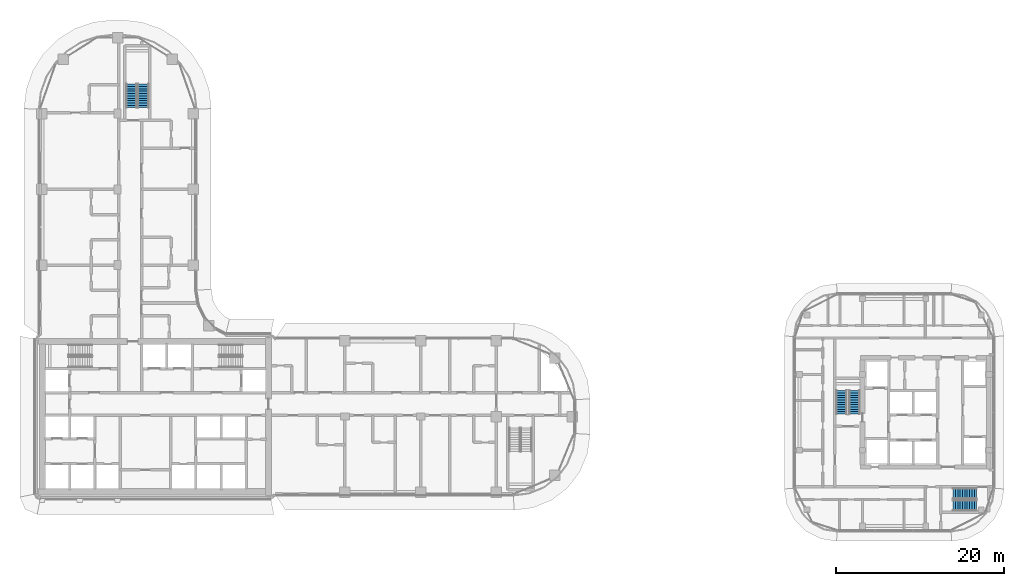
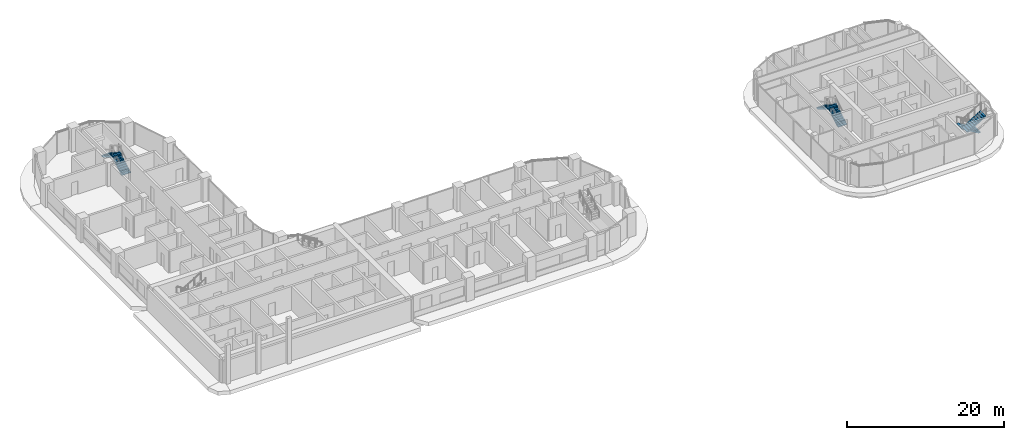
# One storey, part 24 of 33: 6 stair flights, 3 elements without a shape of their own.
"""IFC4 building model written with IfcOpenShell, lengths in metres."""

from ifc_helpers import new_model, si_unit, direction, frame, origin, place, context, subcontext, project, spatial, triangles, source, transform, mapped, material, type_object, element, aggregate, save


model = new_model("IFC4")

# Units and contexts
model_context = context("Model", 3, precision=1e-05, world=origin(), true_north=direction((0.0, 1.0)))
body_context = subcontext(model_context, "Body", "Model", "MODEL_VIEW")
ifc_project = project(units=[si_unit("LENGTHUNIT", "METRE"), si_unit("AREAUNIT", "SQUARE_METRE"), si_unit("VOLUMEUNIT", "CUBIC_METRE"), si_unit("PLANEANGLEUNIT", "RADIAN"), si_unit("MASSUNIT", "GRAM", prefix="KILO")], contexts=[model_context])

# Site, building, storey
site_placement = place(None, origin())
site = spatial("IfcSite", under=ifc_project, at=site_placement, CompositionType="ELEMENT")
building_placement = place(site_placement, origin())
building = spatial("IfcBuilding", under=site, at=building_placement, Name="Ogive Portal Towers", CompositionType="ELEMENT")
storey_placement = place(building_placement, frame((0.0, 0.0, 98.199951171875)))
storey = spatial("IfcBuildingStorey", under=building, at=storey_placement, Name="L23", CompositionType="ELEMENT", Elevation=98.199951171875)

# Stair, stair flights
ifc_material = material(Name="Concrete C40/50", Category="concrete")
stair_type = type_object("IfcStairType", Name="INT-STAIR", PredefinedType="HALF_TURN_STAIR", material=ifc_material)
stair_1_placement = place(storey_placement, origin())
stair_1 = element("IfcStair", 1, at=stair_1_placement, inside=storey, type_object=stair_type, Name="L23 Exit Stair ST-A3", PredefinedType="HALF_TURN_STAIR")
stair_flight_type = type_object("IfcStairFlightType", Name="INT-FLIGHT", PredefinedType="STRAIGHT", material=ifc_material)
shared_shape = source(origin(), body_context, "Body", "Tessellation", [
    triangles([(0.0, -0.650146484375, 0.0), (0.0, -0.376220703125, 0.0), (0.0, -0.192626953125, 0.0), (0.0, -0.081298828125, 0.0), (0.0, -0.024169921875, 0.0), (0.0, -0.003173828125, 0.0), (0.0, 0.0, 0.0), (0.0, 0.0029296875, 0.0), (0.0, 0.02392578125, 0.0), (0.0, 0.0810546875, 0.0), (0.0, 0.1923828125, 0.0), (0.0, 0.3759765625, 0.0), (0.0, 0.64990234375, 0.0), (0.0, -0.650146484375, 0.168212890625), (0.0, -0.376220703125, 0.168212890625), (0.0, -0.192626953125, 0.168212890625), (0.0, -0.081298828125, 0.168212890625), (0.0, -0.024169921875, 0.168212890625), (0.0, -0.003173828125, 0.168212890625), (0.0, 0.0, 0.168212890625), (0.0, 0.0029296875, 0.168212890625), (0.0, 0.02392578125, 0.168212890625), (0.0, 0.0810546875, 0.168212890625), (0.0, 0.1923828125, 0.168212890625), (0.0, 0.3759765625, 0.168212890625), (0.0, 0.64990234375, 0.168212890625), (0.280029296875, -0.650146484375, 0.168212890625), (0.280029296875, -0.376220703125, 0.168212890625), (0.280029296875, -0.192626953125, 0.168212890625), (0.280029296875, -0.081298828125, 0.168212890625), (0.280029296875, -0.024169921875, 0.168212890625), (0.280029296875, -0.003173828125, 0.168212890625), (0.280029296875, 0.0, 0.168212890625), (0.280029296875, 0.0029296875, 0.168212890625), (0.280029296875, 0.02392578125, 0.168212890625), (0.280029296875, 0.0810546875, 0.168212890625), (0.280029296875, 0.1923828125, 0.168212890625), (0.280029296875, 0.3759765625, 0.168212890625), (0.280029296875, 0.64990234375, 0.168212890625), (0.280029296875, -0.650146484375, 0.33642578125), (0.280029296875, -0.376220703125, 0.33642578125), (0.280029296875, -0.192626953125, 0.33642578125), (0.280029296875, -0.081298828125, 0.33642578125), (0.280029296875, -0.024169921875, 0.33642578125), (0.280029296875, -0.003173828125, 0.33642578125), (0.280029296875, 0.0, 0.33642578125), (0.280029296875, 0.0029296875, 0.33642578125), (0.280029296875, 0.02392578125, 0.33642578125), (0.280029296875, 0.0810546875, 0.33642578125), (0.280029296875, 0.1923828125, 0.33642578125), (0.280029296875, 0.3759765625, 0.33642578125), (0.280029296875, 0.64990234375, 0.33642578125), (0.56005859375, -0.650146484375, 0.33642578125), (0.56005859375, -0.376220703125, 0.33642578125), (0.56005859375, -0.192626953125, 0.33642578125), (0.56005859375, -0.081298828125, 0.33642578125), (0.56005859375, -0.024169921875, 0.33642578125), (0.56005859375, -0.003173828125, 0.33642578125), (0.56005859375, 0.0, 0.33642578125), (0.56005859375, 0.0029296875, 0.33642578125), (0.56005859375, 0.02392578125, 0.33642578125), (0.56005859375, 0.0810546875, 0.33642578125), (0.56005859375, 0.1923828125, 0.33642578125), (0.56005859375, 0.3759765625, 0.33642578125), (0.56005859375, 0.64990234375, 0.33642578125), (0.56005859375, -0.650146484375, 0.504638671875), (0.56005859375, -0.376220703125, 0.504638671875), (0.56005859375, -0.192626953125, 0.504638671875), (0.56005859375, -0.081298828125, 0.504638671875), (0.56005859375, -0.024169921875, 0.504638671875), (0.56005859375, -0.003173828125, 0.504638671875), (0.56005859375, 0.0, 0.504638671875), (0.56005859375, 0.0029296875, 0.504638671875), (0.56005859375, 0.02392578125, 0.504638671875), (0.56005859375, 0.0810546875, 0.504638671875), (0.56005859375, 0.1923828125, 0.504638671875), (0.56005859375, 0.3759765625, 0.504638671875), (0.56005859375, 0.64990234375, 0.504638671875), (0.840087890625, -0.650146484375, 0.504638671875), (0.840087890625, -0.376220703125, 0.504638671875), (0.840087890625, -0.192626953125, 0.504638671875), (0.840087890625, -0.081298828125, 0.504638671875), (0.840087890625, -0.024169921875, 0.504638671875), (0.840087890625, -0.003173828125, 0.504638671875), (0.840087890625, 0.0, 0.504638671875), (0.840087890625, 0.0029296875, 0.504638671875), (0.840087890625, 0.02392578125, 0.504638671875), (0.840087890625, 0.0810546875, 0.504638671875), (0.840087890625, 0.1923828125, 0.504638671875), (0.840087890625, 0.3759765625, 0.504638671875), (0.840087890625, 0.64990234375, 0.504638671875), (0.840087890625, -0.650146484375, 0.672607421875), (0.840087890625, -0.376220703125, 0.672607421875), (0.840087890625, -0.192626953125, 0.672607421875), (0.840087890625, -0.081298828125, 0.672607421875), (0.840087890625, -0.024169921875, 0.672607421875), (0.840087890625, -0.003173828125, 0.672607421875), (0.840087890625, 0.0, 0.672607421875), (0.840087890625, 0.0029296875, 0.672607421875), (0.840087890625, 0.02392578125, 0.672607421875), (0.840087890625, 0.0810546875, 0.672607421875), (0.840087890625, 0.1923828125, 0.672607421875), (0.840087890625, 0.3759765625, 0.672607421875), (0.840087890625, 0.64990234375, 0.672607421875), (1.1201171875, -0.650146484375, 0.672607421875), (1.1201171875, -0.376220703125, 0.672607421875), (1.1201171875, -0.192626953125, 0.672607421875), (1.1201171875, -0.081298828125, 0.672607421875), (1.1201171875, -0.024169921875, 0.672607421875), (1.1201171875, -0.003173828125, 0.672607421875), (1.1201171875, 0.0, 0.672607421875), (1.1201171875, 0.0029296875, 0.672607421875), (1.1201171875, 0.02392578125, 0.672607421875), (1.1201171875, 0.0810546875, 0.672607421875), (1.1201171875, 0.1923828125, 0.672607421875), (1.1201171875, 0.3759765625, 0.672607421875), (1.1201171875, 0.64990234375, 0.672607421875), (1.1201171875, -0.650146484375, 0.8408203125), (1.1201171875, -0.376220703125, 0.8408203125), (1.1201171875, -0.192626953125, 0.8408203125), (1.1201171875, -0.081298828125, 0.8408203125), (1.1201171875, -0.024169921875, 0.8408203125), (1.1201171875, -0.003173828125, 0.8408203125), (1.1201171875, 0.0, 0.8408203125), (1.1201171875, 0.0029296875, 0.8408203125), (1.1201171875, 0.02392578125, 0.8408203125), (1.1201171875, 0.0810546875, 0.8408203125), (1.1201171875, 0.1923828125, 0.8408203125), (1.1201171875, 0.3759765625, 0.8408203125), (1.1201171875, 0.64990234375, 0.8408203125), (1.39990234375, -0.650146484375, 0.8408203125), (1.39990234375, -0.376220703125, 0.8408203125), (1.39990234375, -0.192626953125, 0.8408203125), (1.39990234375, -0.081298828125, 0.8408203125), (1.39990234375, -0.024169921875, 0.8408203125), (1.39990234375, -0.003173828125, 0.8408203125), (1.39990234375, 0.0, 0.8408203125), (1.39990234375, 0.0029296875, 0.8408203125), (1.39990234375, 0.02392578125, 0.8408203125), (1.39990234375, 0.0810546875, 0.8408203125), (1.39990234375, 0.1923828125, 0.8408203125), (1.39990234375, 0.3759765625, 0.8408203125), (1.39990234375, 0.64990234375, 0.8408203125), (1.39990234375, -0.650146484375, 1.009033203125), (1.39990234375, -0.376220703125, 1.009033203125), (1.39990234375, -0.192626953125, 1.009033203125), (1.39990234375, -0.081298828125, 1.009033203125), (1.39990234375, -0.024169921875, 1.009033203125), (1.39990234375, -0.003173828125, 1.009033203125), (1.39990234375, 0.0, 1.009033203125), (1.39990234375, 0.0029296875, 1.009033203125), (1.39990234375, 0.02392578125, 1.009033203125), (1.39990234375, 0.0810546875, 1.009033203125), (1.39990234375, 0.1923828125, 1.009033203125), (1.39990234375, 0.3759765625, 1.009033203125), (1.39990234375, 0.64990234375, 1.009033203125), (1.679931640625, -0.650146484375, 1.009033203125), (1.679931640625, -0.376220703125, 1.009033203125), (1.679931640625, -0.192626953125, 1.009033203125), (1.679931640625, -0.081298828125, 1.009033203125), (1.679931640625, -0.024169921875, 1.009033203125), (1.679931640625, -0.003173828125, 1.009033203125), (1.679931640625, 0.0, 1.009033203125), (1.679931640625, 0.0029296875, 1.009033203125), (1.679931640625, 0.02392578125, 1.009033203125), (1.679931640625, 0.0810546875, 1.009033203125), (1.679931640625, 0.1923828125, 1.009033203125), (1.679931640625, 0.3759765625, 1.009033203125), (1.679931640625, 0.64990234375, 1.009033203125), (1.679931640625, -0.650146484375, 1.17724609375), (1.679931640625, -0.376220703125, 1.17724609375), (1.679931640625, -0.192626953125, 1.17724609375), (1.679931640625, -0.081298828125, 1.17724609375), (1.679931640625, -0.024169921875, 1.17724609375), (1.679931640625, -0.003173828125, 1.17724609375), (1.679931640625, 0.0, 1.17724609375), (1.679931640625, 0.0029296875, 1.17724609375), (1.679931640625, 0.02392578125, 1.17724609375), (1.679931640625, 0.0810546875, 1.17724609375), (1.679931640625, 0.1923828125, 1.17724609375), (1.679931640625, 0.3759765625, 1.17724609375), (1.679931640625, 0.64990234375, 1.17724609375), (1.9599609375, -0.650146484375, 1.17724609375), (1.9599609375, -0.376220703125, 1.17724609375), (1.9599609375, -0.192626953125, 1.17724609375), (1.9599609375, -0.081298828125, 1.17724609375), (1.9599609375, -0.024169921875, 1.17724609375), (1.9599609375, -0.003173828125, 1.17724609375), (1.9599609375, 0.0, 1.17724609375), (1.9599609375, 0.0029296875, 1.17724609375), (1.9599609375, 0.02392578125, 1.17724609375), (1.9599609375, 0.0810546875, 1.17724609375), (1.9599609375, 0.1923828125, 1.17724609375), (1.9599609375, 0.3759765625, 1.17724609375), (1.9599609375, 0.64990234375, 1.17724609375), (1.9599609375, -0.650146484375, 1.345458984375), (1.9599609375, -0.376220703125, 1.345458984375), (1.9599609375, -0.192626953125, 1.345458984375), (1.9599609375, -0.081298828125, 1.345458984375), (1.9599609375, -0.024169921875, 1.345458984375), (1.9599609375, -0.003173828125, 1.345458984375), (1.9599609375, 0.0, 1.345458984375), (1.9599609375, 0.0029296875, 1.345458984375), (1.9599609375, 0.02392578125, 1.345458984375), (1.9599609375, 0.0810546875, 1.345458984375), (1.9599609375, 0.1923828125, 1.345458984375), (1.9599609375, 0.3759765625, 1.345458984375), (1.9599609375, 0.64990234375, 1.345458984375), (2.239990234375, -0.650146484375, 1.345458984375), (2.239990234375, -0.376220703125, 1.345458984375), (2.239990234375, -0.192626953125, 1.345458984375), (2.239990234375, -0.081298828125, 1.345458984375), (2.239990234375, -0.024169921875, 1.345458984375), (2.239990234375, -0.003173828125, 1.345458984375), (2.239990234375, 0.0, 1.345458984375), (2.239990234375, 0.0029296875, 1.345458984375), (2.239990234375, 0.02392578125, 1.345458984375), (2.239990234375, 0.0810546875, 1.345458984375), (2.239990234375, 0.1923828125, 1.345458984375), (2.239990234375, 0.3759765625, 1.345458984375), (2.239990234375, 0.64990234375, 1.345458984375), (2.239990234375, -0.650146484375, 1.513671875), (2.239990234375, -0.376220703125, 1.513671875), (2.239990234375, -0.192626953125, 1.513671875), (2.239990234375, -0.081298828125, 1.513671875), (2.239990234375, -0.024169921875, 1.513671875), (2.239990234375, -0.003173828125, 1.513671875), (2.239990234375, 0.0, 1.513671875), (2.239990234375, 0.0029296875, 1.513671875), (2.239990234375, 0.02392578125, 1.513671875), (2.239990234375, 0.0810546875, 1.513671875), (2.239990234375, 0.1923828125, 1.513671875), (2.239990234375, 0.3759765625, 1.513671875), (2.239990234375, 0.64990234375, 1.513671875), (2.52001953125, -0.650146484375, 1.513671875), (2.52001953125, -0.376220703125, 1.513671875), (2.52001953125, -0.192626953125, 1.513671875), (2.52001953125, -0.081298828125, 1.513671875), (2.52001953125, -0.024169921875, 1.513671875), (2.52001953125, -0.003173828125, 1.513671875), (2.52001953125, 0.0, 1.513671875), (2.52001953125, 0.0029296875, 1.513671875), (2.52001953125, 0.02392578125, 1.513671875), (2.52001953125, 0.0810546875, 1.513671875), (2.52001953125, 0.1923828125, 1.513671875), (2.52001953125, 0.3759765625, 1.513671875), (2.52001953125, 0.64990234375, 1.513671875), (2.52001953125, -0.650146484375, 1.681884765625), (2.52001953125, -0.376220703125, 1.681884765625), (2.52001953125, -0.192626953125, 1.681884765625), (2.52001953125, -0.081298828125, 1.681884765625), (2.52001953125, -0.024169921875, 1.681884765625), (2.52001953125, -0.003173828125, 1.681884765625), (2.52001953125, 0.0, 1.681884765625), (2.52001953125, 0.0029296875, 1.681884765625), (2.52001953125, 0.02392578125, 1.681884765625), (2.52001953125, 0.0810546875, 1.681884765625), (2.52001953125, 0.1923828125, 1.681884765625), (2.52001953125, 0.3759765625, 1.681884765625), (2.52001953125, 0.64990234375, 1.681884765625), (2.800048828125, -0.650146484375, 1.681884765625), (2.800048828125, -0.376220703125, 1.681884765625), (2.800048828125, -0.192626953125, 1.681884765625), (2.800048828125, -0.081298828125, 1.681884765625), (2.800048828125, -0.024169921875, 1.681884765625), (2.800048828125, -0.003173828125, 1.681884765625), (2.800048828125, 0.0, 1.681884765625), (2.800048828125, 0.0029296875, 1.681884765625), (2.800048828125, 0.02392578125, 1.681884765625), (2.800048828125, 0.0810546875, 1.681884765625), (2.800048828125, 0.1923828125, 1.681884765625), (2.800048828125, 0.3759765625, 1.681884765625), (2.800048828125, 0.64990234375, 1.681884765625), (2.800048828125, -0.650146484375, 1.5068359375), (2.800048828125, -0.376220703125, 1.5068359375), (2.800048828125, -0.192626953125, 1.5068359375), (2.800048828125, -0.081298828125, 1.5068359375), (2.800048828125, -0.024169921875, 1.5068359375), (2.800048828125, -0.003173828125, 1.5068359375), (2.800048828125, 0.0, 1.5068359375), (2.800048828125, 0.0029296875, 1.5068359375), (2.800048828125, 0.02392578125, 1.5068359375), (2.800048828125, 0.0810546875, 1.5068359375), (2.800048828125, 0.1923828125, 1.5068359375), (2.800048828125, 0.3759765625, 1.5068359375), (2.800048828125, 0.64990234375, 1.5068359375), (0.291015625, -0.650146484375, 0.0), (0.291015625, -0.376220703125, 0.0), (0.291015625, -0.192626953125, 0.0), (0.291015625, -0.081298828125, 0.0), (0.291015625, -0.024169921875, 0.0), (0.291015625, -0.003173828125, 0.0), (0.291015625, 0.0, 0.0), (0.291015625, 0.0029296875, 0.0), (0.291015625, 0.02392578125, 0.0), (0.291015625, 0.0810546875, 0.0), (0.291015625, 0.1923828125, 0.0), (0.291015625, 0.3759765625, 0.0), (0.291015625, 0.64990234375, 0.0)], [[1, 14, 15], [1, 15, 2], [2, 15, 16], [2, 16, 3], [3, 16, 17], [3, 17, 4], [4, 17, 18], [4, 18, 5], [5, 18, 19], [5, 19, 6], [6, 19, 20], [6, 20, 7], [7, 20, 21], [7, 21, 8], [8, 21, 22], [8, 22, 9], [9, 22, 23], [9, 23, 10], [10, 23, 24], [10, 24, 11], [11, 24, 25], [11, 25, 12], [12, 25, 26], [12, 26, 13], [14, 27, 28], [14, 28, 15], [15, 28, 29], [15, 29, 16], [16, 29, 30], [16, 30, 17], [17, 30, 31], [17, 31, 18], [18, 31, 32], [18, 32, 19], [19, 32, 33], [19, 33, 20], [20, 33, 34], [20, 34, 21], [21, 34, 35], [21, 35, 22], [22, 35, 36], [22, 36, 23], [23, 36, 37], [23, 37, 24], [24, 37, 38], [24, 38, 25], [25, 38, 39], [25, 39, 26], [27, 40, 41], [27, 41, 28], [28, 41, 42], [28, 42, 29], [29, 42, 43], [29, 43, 30], [30, 43, 44], [30, 44, 31], [31, 44, 45], [31, 45, 32], [32, 45, 46], [32, 46, 33], [33, 46, 47], [33, 47, 34], [34, 47, 48], [34, 48, 35], [35, 48, 49], [35, 49, 36], [36, 49, 50], [36, 50, 37], [37, 50, 51], [37, 51, 38], [38, 51, 52], [38, 52, 39], [40, 53, 54], [40, 54, 41], [41, 54, 55], [41, 55, 42], [42, 55, 56], [42, 56, 43], [43, 56, 57], [43, 57, 44], [44, 57, 58], [44, 58, 45], [45, 58, 59], [45, 59, 46], [46, 59, 60], [46, 60, 47], [47, 60, 61], [47, 61, 48], [48, 61, 62], [48, 62, 49], [49, 62, 63], [49, 63, 50], [50, 63, 64], [50, 64, 51], [51, 64, 65], [51, 65, 52], [53, 66, 67], [53, 67, 54], [54, 67, 68], [54, 68, 55], [55, 68, 69], [55, 69, 56], [56, 69, 70], [56, 70, 57], [57, 70, 71], [57, 71, 58], [58, 71, 72], [58, 72, 59], [59, 72, 73], [59, 73, 60], [60, 73, 74], [60, 74, 61], [61, 74, 75], [61, 75, 62], [62, 75, 76], [62, 76, 63], [63, 76, 77], [63, 77, 64], [64, 77, 78], [64, 78, 65], [66, 79, 80], [66, 80, 67], [67, 80, 81], [67, 81, 68], [68, 81, 82], [68, 82, 69], [69, 82, 83], [69, 83, 70], [70, 83, 84], [70, 84, 71], [71, 84, 85], [71, 85, 72], [72, 85, 86], [72, 86, 73], [73, 86, 87], [73, 87, 74], [74, 87, 88], [74, 88, 75], [75, 88, 89], [75, 89, 76], [76, 89, 90], [76, 90, 77], [77, 90, 91], [77, 91, 78], [79, 92, 93], [79, 93, 80], [80, 93, 94], [80, 94, 81], [81, 94, 95], [81, 95, 82], [82, 95, 96], [82, 96, 83], [83, 96, 97], [83, 97, 84], [84, 97, 98], [84, 98, 85], [85, 98, 99], [85, 99, 86], [86, 99, 100], [86, 100, 87], [87, 100, 101], [87, 101, 88], [88, 101, 102], [88, 102, 89], [89, 102, 103], [89, 103, 90], [90, 103, 104], [90, 104, 91], [92, 105, 106], [92, 106, 93], [93, 106, 107], [93, 107, 94], [94, 107, 108], [94, 108, 95], [95, 108, 109], [95, 109, 96], [96, 109, 110], [96, 110, 97], [97, 110, 111], [97, 111, 98], [98, 111, 112], [98, 112, 99], [99, 112, 113], [99, 113, 100], [100, 113, 114], [100, 114, 101], [101, 114, 115], [101, 115, 102], [102, 115, 116], [102, 116, 103], [103, 116, 117], [103, 117, 104], [105, 118, 119], [105, 119, 106], [106, 119, 120], [106, 120, 107], [107, 120, 121], [107, 121, 108], [108, 121, 122], [108, 122, 109], [109, 122, 123], [109, 123, 110], [110, 123, 124], [110, 124, 111], [111, 124, 125], [111, 125, 112], [112, 125, 126], [112, 126, 113], [113, 126, 127], [113, 127, 114], [114, 127, 128], [114, 128, 115], [115, 128, 129], [115, 129, 116], [116, 129, 130], [116, 130, 117], [118, 131, 132], [118, 132, 119], [119, 132, 133], [119, 133, 120], [120, 133, 134], [120, 134, 121], [121, 134, 135], [121, 135, 122], [122, 135, 136], [122, 136, 123], [123, 136, 137], [123, 137, 124], [124, 137, 138], [124, 138, 125], [125, 138, 139], [125, 139, 126], [126, 139, 140], [126, 140, 127], [127, 140, 141], [127, 141, 128], [128, 141, 142], [128, 142, 129], [129, 142, 143], [129, 143, 130], [131, 144, 145], [131, 145, 132], [132, 145, 146], [132, 146, 133], [133, 146, 147], [133, 147, 134], [134, 147, 148], [134, 148, 135], [135, 148, 149], [135, 149, 136], [136, 149, 150], [136, 150, 137], [137, 150, 151], [137, 151, 138], [138, 151, 152], [138, 152, 139], [139, 152, 153], [139, 153, 140], [140, 153, 154], [140, 154, 141], [141, 154, 155], [141, 155, 142], [142, 155, 156], [142, 156, 143], [144, 157, 158], [144, 158, 145], [145, 158, 159], [145, 159, 146], [146, 159, 160], [146, 160, 147], [147, 160, 161], [147, 161, 148], [148, 161, 162], [148, 162, 149], [149, 162, 163], [149, 163, 150], [150, 163, 164], [150, 164, 151], [151, 164, 165], [151, 165, 152], [152, 165, 166], [152, 166, 153], [153, 166, 167], [153, 167, 154], [154, 167, 168], [154, 168, 155], [155, 168, 169], [155, 169, 156], [157, 170, 171], [157, 171, 158], [158, 171, 172], [158, 172, 159], [159, 172, 173], [159, 173, 160], [160, 173, 174], [160, 174, 161], [161, 174, 175], [161, 175, 162], [162, 175, 176], [162, 176, 163], [163, 176, 177], [163, 177, 164], [164, 177, 178], [164, 178, 165], [165, 178, 179], [165, 179, 166], [166, 179, 180], [166, 180, 167], [167, 180, 181], [167, 181, 168], [168, 181, 182], [168, 182, 169], [170, 183, 184], [170, 184, 171], [171, 184, 185], [171, 185, 172], [172, 185, 186], [172, 186, 173], [173, 186, 187], [173, 187, 174], [174, 187, 188], [174, 188, 175], [175, 188, 189], [175, 189, 176], [176, 189, 190], [176, 190, 177], [177, 190, 191], [177, 191, 178], [178, 191, 192], [178, 192, 179], [179, 192, 193], [179, 193, 180], [180, 193, 194], [180, 194, 181], [181, 194, 195], [181, 195, 182], [183, 196, 197], [183, 197, 184], [184, 197, 198], [184, 198, 185], [185, 198, 199], [185, 199, 186], [186, 199, 200], [186, 200, 187], [187, 200, 201], [187, 201, 188], [188, 201, 202], [188, 202, 189], [189, 202, 203], [189, 203, 190], [190, 203, 204], [190, 204, 191], [191, 204, 205], [191, 205, 192], [192, 205, 206], [192, 206, 193], [193, 206, 207], [193, 207, 194], [194, 207, 208], [194, 208, 195], [196, 209, 210], [196, 210, 197], [197, 210, 211], [197, 211, 198], [198, 211, 212], [198, 212, 199], [199, 212, 213], [199, 213, 200], [200, 213, 214], [200, 214, 201], [201, 214, 215], [201, 215, 202], [202, 215, 216], [202, 216, 203], [203, 216, 217], [203, 217, 204], [204, 217, 218], [204, 218, 205], [205, 218, 219], [205, 219, 206], [206, 219, 220], [206, 220, 207], [207, 220, 221], [207, 221, 208], [209, 222, 223], [209, 223, 210], [210, 223, 224], [210, 224, 211], [211, 224, 225], [211, 225, 212], [212, 225, 226], [212, 226, 213], [213, 226, 227], [213, 227, 214], [214, 227, 228], [214, 228, 215], [215, 228, 229], [215, 229, 216], [216, 229, 230], [216, 230, 217], [217, 230, 231], [217, 231, 218], [218, 231, 232], [218, 232, 219], [219, 232, 233], [219, 233, 220], [220, 233, 234], [220, 234, 221], [222, 235, 236], [222, 236, 223], [223, 236, 237], [223, 237, 224], [224, 237, 238], [224, 238, 225], [225, 238, 239], [225, 239, 226], [226, 239, 240], [226, 240, 227], [227, 240, 241], [227, 241, 228], [228, 241, 242], [228, 242, 229], [229, 242, 243], [229, 243, 230], [230, 243, 244], [230, 244, 231], [231, 244, 245], [231, 245, 232], [232, 245, 246], [232, 246, 233], [233, 246, 247], [233, 247, 234], [235, 248, 249], [235, 249, 236], [236, 249, 250], [236, 250, 237], [237, 250, 251], [237, 251, 238], [238, 251, 252], [238, 252, 239], [239, 252, 253], [239, 253, 240], [240, 253, 254], [240, 254, 241], [241, 254, 255], [241, 255, 242], [242, 255, 256], [242, 256, 243], [243, 256, 257], [243, 257, 244], [244, 257, 258], [244, 258, 245], [245, 258, 259], [245, 259, 246], [246, 259, 260], [246, 260, 247], [248, 261, 262], [248, 262, 249], [249, 262, 263], [249, 263, 250], [250, 263, 264], [250, 264, 251], [251, 264, 265], [251, 265, 252], [252, 265, 266], [252, 266, 253], [253, 266, 267], [253, 267, 254], [254, 267, 268], [254, 268, 255], [255, 268, 269], [255, 269, 256], [256, 269, 270], [256, 270, 257], [257, 270, 271], [257, 271, 258], [258, 271, 272], [258, 272, 259], [259, 272, 273], [259, 273, 260], [261, 274, 275], [261, 275, 262], [262, 275, 276], [262, 276, 263], [263, 276, 277], [263, 277, 264], [264, 277, 278], [264, 278, 265], [265, 278, 279], [265, 279, 266], [266, 279, 280], [266, 280, 267], [267, 280, 281], [267, 281, 268], [268, 281, 282], [268, 282, 269], [269, 282, 283], [269, 283, 270], [270, 283, 284], [270, 284, 271], [271, 284, 285], [271, 285, 272], [272, 285, 286], [272, 286, 273], [274, 287, 288], [274, 288, 275], [275, 288, 289], [275, 289, 276], [276, 289, 290], [276, 290, 277], [277, 290, 291], [277, 291, 278], [278, 291, 292], [278, 292, 279], [279, 292, 293], [279, 293, 280], [280, 293, 294], [280, 294, 281], [281, 294, 295], [281, 295, 282], [282, 295, 296], [282, 296, 283], [283, 296, 297], [283, 297, 284], [284, 297, 298], [284, 298, 285], [285, 298, 299], [285, 299, 286], [287, 1, 2], [287, 2, 288], [288, 2, 3], [288, 3, 289], [289, 3, 4], [289, 4, 290], [290, 4, 5], [290, 5, 291], [291, 5, 6], [291, 6, 292], [292, 6, 7], [292, 7, 293], [293, 7, 8], [293, 8, 294], [294, 8, 9], [294, 9, 295], [295, 9, 10], [295, 10, 296], [296, 10, 11], [296, 11, 297], [297, 11, 12], [297, 12, 298], [298, 12, 13], [298, 13, 299], [1, 287, 274], [13, 286, 299], [274, 261, 248], [286, 260, 273], [274, 248, 235], [286, 247, 260], [274, 235, 222], [286, 234, 247], [274, 222, 209], [286, 221, 234], [209, 196, 183], [221, 195, 208], [274, 209, 183], [286, 195, 221], [183, 170, 157], [195, 169, 182], [274, 183, 157], [286, 169, 195], [157, 144, 131], [169, 143, 156], [274, 157, 131], [286, 143, 169], [131, 118, 105], [143, 117, 130], [274, 131, 105], [286, 117, 143], [1, 274, 105], [13, 117, 286], [105, 92, 79], [117, 91, 104], [79, 66, 53], [91, 65, 78], [105, 79, 53], [117, 65, 91], [53, 40, 27], [65, 39, 52], [105, 53, 27], [117, 39, 65], [1, 105, 27], [13, 39, 117], [27, 14, 1], [39, 13, 26]], closed=True),
])
stair_flight_1_placement = place(storey_placement, frame((43.550048828125, 67.199951171875, 0.0), z_axis=(0.0, 0.0, 1.0), x_axis=(0.0, 1.0, 0.0)))
stair_flight_1 = element("IfcStairFlight", 2, at=stair_flight_1_placement, type_object=stair_flight_type, Name="ST-A3 flight 1", NumberOfRisers=11, NumberOfTreads=10, PredefinedType="STRAIGHT", RiserHeight=0.168181818, TreadLength=0.28, context=body_context, shape_type="MappedRepresentation", body=[
    mapped(shared_shape, transform((0.0, 0.0, 0.0), scale=1.0)),
])
stair_flight_2_placement = place(storey_placement, frame((42.14990234375, 70.0, 1.85009765625), z_axis=(0.0, 0.0, 1.0), x_axis=(0.0, -1.0, 0.0)))
stair_flight_2 = element("IfcStairFlight", 3, at=stair_flight_2_placement, type_object=stair_flight_type, Name="ST-A3 flight 2", NumberOfRisers=11, NumberOfTreads=10, PredefinedType="STRAIGHT", RiserHeight=0.168181818, TreadLength=0.28, context=body_context, shape_type="MappedRepresentation", body=[
    mapped(shared_shape, transform((0.0, 0.0, 0.0), scale=1.0)),
])
aggregate(stair_1, [stair_flight_1, stair_flight_2])

stair_2_placement = place(storey_placement, origin())
stair_2 = element("IfcStair", 4, at=stair_2_placement, inside=storey, type_object=stair_type, Name="L23 Exit Stair ST-B1", PredefinedType="HALF_TURN_STAIR")
stair_flight_3_placement = place(storey_placement, frame((128.050048828125, 30.800048828125, 0.0), z_axis=(0.0, 0.0, 1.0), x_axis=(0.0, 1.0, 0.0)))
stair_flight_3 = element("IfcStairFlight", 5, at=stair_flight_3_placement, type_object=stair_flight_type, Name="ST-B1 flight 1", NumberOfRisers=11, NumberOfTreads=10, PredefinedType="STRAIGHT", RiserHeight=0.168181818, TreadLength=0.28, context=body_context, shape_type="MappedRepresentation", body=[
    mapped(shared_shape, transform((0.0, 0.0, 0.0), scale=1.0)),
])
stair_flight_4_placement = place(storey_placement, frame((126.5, 33.60009765625, 1.85009765625), z_axis=(0.0, 0.0, 1.0), x_axis=(0.0, -1.0, 0.0)))
stair_flight_4 = element("IfcStairFlight", 6, at=stair_flight_4_placement, type_object=stair_flight_type, Name="ST-B1 flight 2", NumberOfRisers=11, NumberOfTreads=10, PredefinedType="STRAIGHT", RiserHeight=0.168181818, TreadLength=0.28, context=body_context, shape_type="MappedRepresentation", body=[
    mapped(shared_shape, transform((0.0, 0.0, 0.0), scale=1.0)),
])
aggregate(stair_2, [stair_flight_3, stair_flight_4])

stair_3_placement = place(storey_placement, origin())
stair_3 = element("IfcStair", 7, at=stair_3_placement, inside=storey, type_object=stair_type, Name="L23 Exit Stair ST-B2", PredefinedType="HALF_TURN_STAIR")
stair_flight_5_placement = place(storey_placement, frame((142.550048828125, 21.35009765625, 0.0), z_axis=(0.0, 0.0, 1.0), x_axis=(-1.0, 0.0, 0.0)))
stair_flight_5 = element("IfcStairFlight", 8, at=stair_flight_5_placement, type_object=stair_flight_type, Name="ST-B2 flight 1", NumberOfRisers=11, NumberOfTreads=10, PredefinedType="STRAIGHT", RiserHeight=0.168181818, TreadLength=0.28, context=body_context, shape_type="MappedRepresentation", body=[
    mapped(shared_shape, transform((0.0, 0.0, 0.0), scale=1.0)),
])
stair_flight_6_placement = place(storey_placement, frame((139.75, 19.949951171875, 1.85009765625), z_axis=(0.0, 0.0, 1.0), x_axis=(1.0, 0.0, 0.0)))
stair_flight_6 = element("IfcStairFlight", 9, at=stair_flight_6_placement, type_object=stair_flight_type, Name="ST-B2 flight 2", NumberOfRisers=11, NumberOfTreads=10, PredefinedType="STRAIGHT", RiserHeight=0.168181818, TreadLength=0.28, context=body_context, shape_type="MappedRepresentation", body=[
    mapped(shared_shape, transform((0.0, 0.0, 0.0), scale=1.0)),
])
aggregate(stair_3, [stair_flight_5, stair_flight_6])

save(model, "model.ifc")
